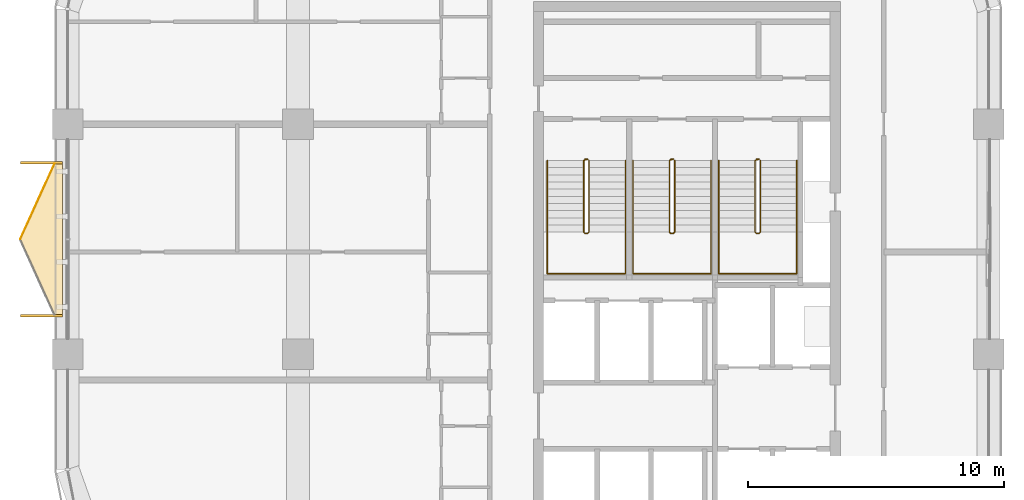
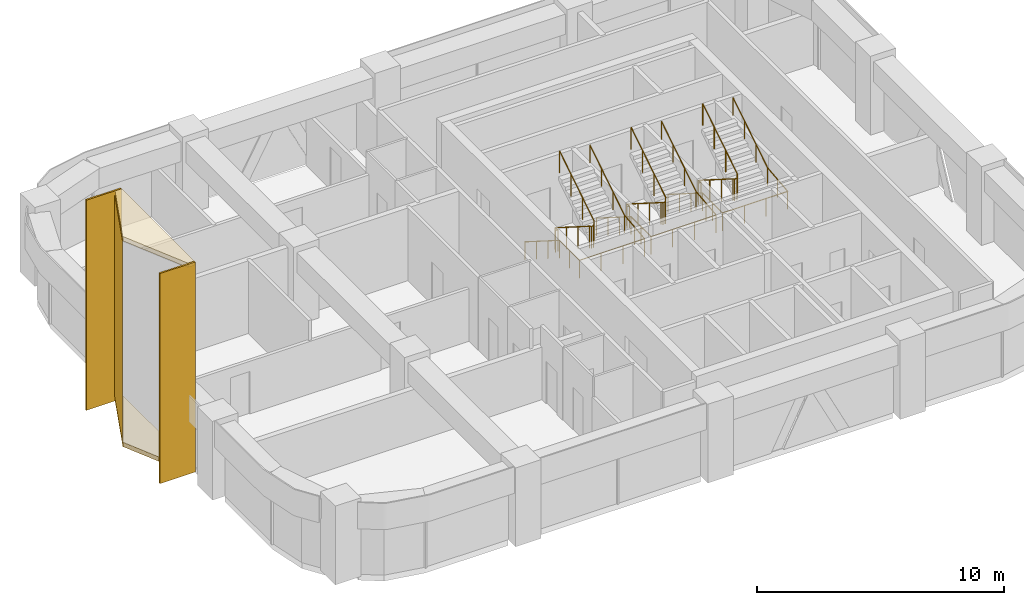
# One storey, part 10 of 10: 6 railings, 5 coverings.
"""IFC4 building model written with IfcOpenShell, lengths in metres."""

from ifc_helpers import new_model, si_unit, direction, frame, origin, origin_2d, place, context, subcontext, project, spatial, polyline, rectangle, circle, outline, extrude, material, layer, layer_set, type_object, element, save


model = new_model("IFC4")

# Units and contexts
model_context = context("Model", 3, precision=1e-05, world=origin(), true_north=direction((0.0, 1.0)))
body_context = subcontext(model_context, "Body", "Model", "MODEL_VIEW")
ifc_project = project(units=[si_unit("LENGTHUNIT", "METRE"), si_unit("AREAUNIT", "SQUARE_METRE"), si_unit("VOLUMEUNIT", "CUBIC_METRE"), si_unit("PLANEANGLEUNIT", "RADIAN"), si_unit("MASSUNIT", "GRAM", prefix="KILO")], contexts=[model_context])

# Site, building, storey
site_placement = place(None, origin())
site = spatial("IfcSite", under=ifc_project, at=site_placement, CompositionType="ELEMENT")
building_placement = place(site_placement, origin())
building = spatial("IfcBuilding", under=site, at=building_placement, Name="Tessera Arch", CompositionType="ELEMENT")
storey_placement = place(building_placement, frame((0.0, 0.0, 238.39990234375)))
storey = spatial("IfcBuildingStorey", under=building, at=storey_placement, Name="L57", CompositionType="ELEMENT", Elevation=238.39990234375)

# Railings
ifc_material_1 = material(Name="Painted steel balustrade", Category="steel")
railing_type_1 = type_object("IfcRailingType", Name="Stair guard 1100", PredefinedType="GUARDRAIL", material=ifc_material_1)
railing_1_placement = place(storey_placement, frame((38.219970703125, 43.6298828125, 0.0)))
element("IfcRailing", 1, at=railing_1_placement, inside=storey, type_object=railing_type_1, Name="L57 S1a stair guard 1", PredefinedType="GUARDRAIL", context=body_context, shape_type="SweptSolid", body=[
    extrude(circle(Radius=0.02392578125, at=origin_2d()), frame((-0.00390625, 0.0, 1.076171875), z_axis=(1.0, 0.0, 0.0), x_axis=(0.0, 1.0, 0.0)), (0.0, 0.0, 1.0), 0.1181640625),
    extrude(circle(Radius=0.02392578125, at=origin_2d()), frame((0.11279296875, 0.000732421875, 1.0732421875), z_axis=(-0.655842288892, -0.203950955692, 0.72682521955), x_axis=(0.296948579431, -0.954893471113, 0.0)), (0.0, 0.0, 1.0), 0.252197265625),
    extrude(circle(Radius=0.02392578125, at=origin_2d()), frame((-0.050048828125, -0.04638671875, 1.25146484375), z_axis=(0.0, -0.844908973607, 0.534910110503), x_axis=(1.0, 0.0, 0.0)), (0.0, 0.0, 1.0), 3.322021484375),
    extrude(circle(Radius=0.02392578125, at=origin_2d()), frame((-0.052978515625, -2.846923828125, 3.0263671875), z_axis=(0.707106781187, -0.707106781187, 0.0), x_axis=(0.707106781187, 0.707106781187, 0.0)), (0.0, 0.0, 1.0), 0.078857421875),
    extrude(circle(Radius=0.02392578125, at=origin_2d()), frame((-0.00390625, -2.89990234375, 3.0263671875), z_axis=(1.0, 0.0, 0.0), x_axis=(0.0, 1.0, 0.0)), (0.0, 0.0, 1.0), 0.1181640625),
    extrude(circle(Radius=0.02392578125, at=origin_2d()), frame((0.109130859375, -2.90087890625, 3.0224609375), z_axis=(0.261041864531, 0.262321481514, 0.929001929653), x_axis=(-0.708833529934, 0.705375805398, 0.0)), (0.0, 0.0, 1.0), 0.19873046875),
    extrude(circle(Radius=0.02392578125, at=origin_2d()), frame((0.159912109375, -2.853271484375, 3.201416015625), z_axis=(0.0, 0.844908973607, 0.534910110503), x_axis=(-1.0, 0.0, 0.0)), (0.0, 0.0, 1.0), 3.322021484375),
    extrude(circle(Radius=0.02099609375, at=origin_2d()), origin(), (0.0, 0.0, 1.0), 1.06396484375),
    extrude(circle(Radius=0.02099609375, at=origin_2d()), frame((0.110107421875, 0.0, 0.0)), (0.0, 0.0, 1.0), 1.06396484375),
    extrude(circle(Radius=0.02099609375, at=origin_2d()), frame((-0.050048828125, -0.0498046875, 0.177490234375)), (0.0, 0.0, 1.0), 1.06396484375),
    extrude(circle(Radius=0.02099609375, at=origin_2d()), frame((-0.050048828125, -0.983154296875, 0.768310546875)), (0.0, 0.0, 1.0), 1.06396484375),
    extrude(circle(Radius=0.02099609375, at=origin_2d()), frame((-0.050048828125, -1.91650390625, 1.359375)), (0.0, 0.0, 1.0), 1.06396484375),
    extrude(circle(Radius=0.02099609375, at=origin_2d()), frame((-0.050048828125, -2.849853515625, 1.9501953125)), (0.0, 0.0, 1.0), 1.06396484375),
    extrude(circle(Radius=0.02099609375, at=origin_2d()), frame((0.0, -2.89990234375, 1.9501953125)), (0.0, 0.0, 1.0), 1.06396484375),
    extrude(circle(Radius=0.02099609375, at=origin_2d()), frame((0.110107421875, -2.89990234375, 1.9501953125)), (0.0, 0.0, 1.0), 1.06396484375),
    extrude(circle(Radius=0.02099609375, at=origin_2d()), frame((0.159912109375, -2.849853515625, 2.12744140625)), (0.0, 0.0, 1.0), 1.06396484375),
    extrude(circle(Radius=0.02099609375, at=origin_2d()), frame((0.159912109375, -1.91650390625, 2.71826171875)), (0.0, 0.0, 1.0), 1.06396484375),
    extrude(circle(Radius=0.02099609375, at=origin_2d()), frame((0.159912109375, -0.983154296875, 3.309326171875)), (0.0, 0.0, 1.0), 1.06396484375),
    extrude(circle(Radius=0.02099609375, at=origin_2d()), frame((0.159912109375, -0.0498046875, 3.900146484375)), (0.0, 0.0, 1.0), 1.06396484375),
])
railing_2_placement = place(storey_placement, frame((41.570068359375, 43.6298828125, 0.0)))
element("IfcRailing", 2, at=railing_2_placement, inside=storey, type_object=railing_type_1, Name="L57 S1b stair guard 1", PredefinedType="GUARDRAIL", context=body_context, shape_type="SweptSolid", body=[
    extrude(circle(Radius=0.02392578125, at=origin_2d()), frame((-0.00390625, 0.0, 1.076171875), z_axis=(1.0, 0.0, 0.0), x_axis=(0.0, 1.0, 0.0)), (0.0, 0.0, 1.0), 0.117919921875),
    extrude(circle(Radius=0.02392578125, at=origin_2d()), frame((0.112548828125, 0.000732421875, 1.0732421875), z_axis=(-0.655271994328, -0.204084712737, 0.727301892941), x_axis=(0.297361876254, -0.954764847777, 0.0)), (0.0, 0.0, 1.0), 0.251953125),
    extrude(circle(Radius=0.02392578125, at=origin_2d()), frame((-0.050048828125, -0.04638671875, 1.25146484375), z_axis=(0.0, -0.844908973607, 0.534910110503), x_axis=(1.0, 0.0, 0.0)), (0.0, 0.0, 1.0), 3.322021484375),
    extrude(circle(Radius=0.02392578125, at=origin_2d()), frame((-0.052978515625, -2.846923828125, 3.0263671875), z_axis=(0.707106781187, -0.707106781187, 0.0), x_axis=(0.707106781187, 0.707106781187, 0.0)), (0.0, 0.0, 1.0), 0.078857421875),
    extrude(circle(Radius=0.02392578125, at=origin_2d()), frame((-0.00390625, -2.89990234375, 3.0263671875), z_axis=(1.0, 0.0, 0.0), x_axis=(0.0, 1.0, 0.0)), (0.0, 0.0, 1.0), 0.117919921875),
    extrude(circle(Radius=0.02392578125, at=origin_2d()), frame((0.10888671875, -2.90087890625, 3.0224609375), z_axis=(0.262233686654, 0.262233686654, 0.928691007369), x_axis=(-0.707106781187, 0.707106781187, 0.0)), (0.0, 0.0, 1.0), 0.198974609375),
    extrude(circle(Radius=0.02392578125, at=origin_2d()), frame((0.159912109375, -2.853271484375, 3.201416015625), z_axis=(0.0, 0.844908973607, 0.534910110503), x_axis=(-1.0, 0.0, 0.0)), (0.0, 0.0, 1.0), 3.322021484375),
    extrude(circle(Radius=0.02099609375, at=origin_2d()), origin(), (0.0, 0.0, 1.0), 1.06396484375),
    extrude(circle(Radius=0.02099609375, at=origin_2d()), frame((0.10986328125, 0.0, 0.0)), (0.0, 0.0, 1.0), 1.06396484375),
    extrude(circle(Radius=0.02099609375, at=origin_2d()), frame((-0.050048828125, -0.0498046875, 0.177490234375)), (0.0, 0.0, 1.0), 1.06396484375),
    extrude(circle(Radius=0.02099609375, at=origin_2d()), frame((-0.050048828125, -0.983154296875, 0.768310546875)), (0.0, 0.0, 1.0), 1.06396484375),
    extrude(circle(Radius=0.02099609375, at=origin_2d()), frame((-0.050048828125, -1.91650390625, 1.359375)), (0.0, 0.0, 1.0), 1.06396484375),
    extrude(circle(Radius=0.02099609375, at=origin_2d()), frame((-0.050048828125, -2.849853515625, 1.9501953125)), (0.0, 0.0, 1.0), 1.06396484375),
    extrude(circle(Radius=0.02099609375, at=origin_2d()), frame((0.0, -2.89990234375, 1.9501953125)), (0.0, 0.0, 1.0), 1.06396484375),
    extrude(circle(Radius=0.02099609375, at=origin_2d()), frame((0.10986328125, -2.89990234375, 1.9501953125)), (0.0, 0.0, 1.0), 1.06396484375),
    extrude(circle(Radius=0.02099609375, at=origin_2d()), frame((0.159912109375, -2.849853515625, 2.12744140625)), (0.0, 0.0, 1.0), 1.06396484375),
    extrude(circle(Radius=0.02099609375, at=origin_2d()), frame((0.159912109375, -1.91650390625, 2.71826171875)), (0.0, 0.0, 1.0), 1.06396484375),
    extrude(circle(Radius=0.02099609375, at=origin_2d()), frame((0.159912109375, -0.983154296875, 3.309326171875)), (0.0, 0.0, 1.0), 1.06396484375),
    extrude(circle(Radius=0.02099609375, at=origin_2d()), frame((0.159912109375, -0.0498046875, 3.900146484375)), (0.0, 0.0, 1.0), 1.06396484375),
])
railing_3_placement = place(storey_placement, frame((44.919921875, 43.6298828125, 0.0)))
element("IfcRailing", 3, at=railing_3_placement, inside=storey, type_object=railing_type_1, Name="L57 S1c stair guard 1", PredefinedType="GUARDRAIL", context=body_context, shape_type="SweptSolid", body=[
    extrude(circle(Radius=0.02392578125, at=origin_2d()), frame((-0.00390625, 0.0, 1.076171875), z_axis=(1.0, 0.0, 0.0), x_axis=(0.0, 1.0, 0.0)), (0.0, 0.0, 1.0), 0.1181640625),
    extrude(circle(Radius=0.02392578125, at=origin_2d()), frame((0.11279296875, 0.000732421875, 1.0732421875), z_axis=(-0.655271994328, -0.204084712737, 0.727301892941), x_axis=(0.297361876254, -0.954764847777, 0.0)), (0.0, 0.0, 1.0), 0.251953125),
    extrude(circle(Radius=0.02392578125, at=origin_2d()), frame((-0.0498046875, -0.04638671875, 1.25146484375), z_axis=(0.0, -0.844908973607, 0.534910110503), x_axis=(1.0, 0.0, 0.0)), (0.0, 0.0, 1.0), 3.322021484375),
    extrude(circle(Radius=0.02392578125, at=origin_2d()), frame((-0.052734375, -2.846923828125, 3.0263671875), z_axis=(0.705375805398, -0.708833529934, 0.0), x_axis=(0.708833529934, 0.705375805398, 0.0)), (0.0, 0.0, 1.0), 0.07861328125),
    extrude(circle(Radius=0.02392578125, at=origin_2d()), frame((-0.00390625, -2.89990234375, 3.0263671875), z_axis=(1.0, 0.0, 0.0), x_axis=(0.0, 1.0, 0.0)), (0.0, 0.0, 1.0), 0.1181640625),
    extrude(circle(Radius=0.02392578125, at=origin_2d()), frame((0.109130859375, -2.90087890625, 3.0224609375), z_axis=(0.262233686654, 0.262233686654, 0.928691007369), x_axis=(-0.707106781187, 0.707106781187, 0.0)), (0.0, 0.0, 1.0), 0.198974609375),
    extrude(circle(Radius=0.02392578125, at=origin_2d()), frame((0.16015625, -2.853271484375, 3.201416015625), z_axis=(0.0, 0.844908973607, 0.534910110503), x_axis=(-1.0, 0.0, 0.0)), (0.0, 0.0, 1.0), 3.322021484375),
    extrude(circle(Radius=0.02099609375, at=origin_2d()), origin(), (0.0, 0.0, 1.0), 1.06396484375),
    extrude(circle(Radius=0.02099609375, at=origin_2d()), frame((0.110107421875, 0.0, 0.0)), (0.0, 0.0, 1.0), 1.06396484375),
    extrude(circle(Radius=0.02099609375, at=origin_2d()), frame((-0.0498046875, -0.0498046875, 0.177490234375)), (0.0, 0.0, 1.0), 1.06396484375),
    extrude(circle(Radius=0.02099609375, at=origin_2d()), frame((-0.0498046875, -0.983154296875, 0.768310546875)), (0.0, 0.0, 1.0), 1.06396484375),
    extrude(circle(Radius=0.02099609375, at=origin_2d()), frame((-0.0498046875, -1.91650390625, 1.359375)), (0.0, 0.0, 1.0), 1.06396484375),
    extrude(circle(Radius=0.02099609375, at=origin_2d()), frame((-0.0498046875, -2.849853515625, 1.9501953125)), (0.0, 0.0, 1.0), 1.06396484375),
    extrude(circle(Radius=0.02099609375, at=origin_2d()), frame((0.0, -2.89990234375, 1.9501953125)), (0.0, 0.0, 1.0), 1.06396484375),
    extrude(circle(Radius=0.02099609375, at=origin_2d()), frame((0.110107421875, -2.89990234375, 1.9501953125)), (0.0, 0.0, 1.0), 1.06396484375),
    extrude(circle(Radius=0.02099609375, at=origin_2d()), frame((0.16015625, -2.849853515625, 2.12744140625)), (0.0, 0.0, 1.0), 1.06396484375),
    extrude(circle(Radius=0.02099609375, at=origin_2d()), frame((0.16015625, -1.91650390625, 2.71826171875)), (0.0, 0.0, 1.0), 1.06396484375),
    extrude(circle(Radius=0.02099609375, at=origin_2d()), frame((0.16015625, -0.983154296875, 3.309326171875)), (0.0, 0.0, 1.0), 1.06396484375),
    extrude(circle(Radius=0.02099609375, at=origin_2d()), frame((0.16015625, -0.0498046875, 3.900146484375)), (0.0, 0.0, 1.0), 1.06396484375),
])
ifc_material_2 = material(Name="Painted steel handrail", Category="steel")
railing_type_2 = type_object("IfcRailingType", Name="Stair handrail 900", PredefinedType="HANDRAIL", material=ifc_material_2)
railing_4_placement = place(storey_placement, frame((36.75, 43.580078125, 0.177490234375)))
element("IfcRailing", 4, at=railing_4_placement, inside=storey, type_object=railing_type_2, Name="L57 S1a stair handrail", PredefinedType="HANDRAIL", context=body_context, shape_type="SweptSolid", body=[
    extrude(circle(Radius=0.02392578125, at=origin_2d()), frame((0.0, 0.00341796875, 0.873779296875), z_axis=(0.0, -0.844908973607, 0.534910110503), x_axis=(1.0, 0.0, 0.0)), (0.0, 0.0, 1.0), 3.322021484375),
    extrude(circle(Radius=0.02392578125, at=origin_2d()), frame((0.0, -2.796142578125, 2.6484375), z_axis=(0.0, -1.0, 0.0), x_axis=(1.0, 0.0, 0.0)), (0.0, 0.0, 1.0), 1.63818359375),
    extrude(circle(Radius=0.02392578125, at=origin_2d()), frame((-0.00390625, -4.43017578125, 2.6484375), z_axis=(1.0, 0.0, 0.0), x_axis=(0.0, 1.0, 0.0)), (0.0, 0.0, 1.0), 3.05810546875),
    extrude(circle(Radius=0.02392578125, at=origin_2d()), frame((3.050048828125, -4.43408203125, 2.648193359375), z_axis=(0.0, 0.994140637614, 0.108094369164), x_axis=(-1.0, 0.0, 0.0)), (0.0, 0.0, 1.0), 1.647705078125),
    extrude(circle(Radius=0.02392578125, at=origin_2d()), frame((3.050048828125, -2.803466796875, 2.82373046875), z_axis=(0.0, 0.844908973607, 0.534910110503), x_axis=(-1.0, 0.0, 0.0)), (0.0, 0.0, 1.0), 3.322021484375),
    extrude(circle(Radius=0.02099609375, at=origin_2d()), origin(), (0.0, 0.0, 1.0), 0.86376953125),
    extrude(circle(Radius=0.02099609375, at=origin_2d()), frame((0.0, -0.933349609375, 0.5908203125)), (0.0, 0.0, 1.0), 0.86376953125),
    extrude(circle(Radius=0.02099609375, at=origin_2d()), frame((0.0, -1.86669921875, 1.181884765625)), (0.0, 0.0, 1.0), 0.86376953125),
    extrude(circle(Radius=0.02099609375, at=origin_2d()), frame((0.0, -2.800048828125, 1.772705078125)), (0.0, 0.0, 1.0), 0.86376953125),
    extrude(circle(Radius=0.02099609375, at=origin_2d()), frame((0.0, -3.615234375, 1.772705078125)), (0.0, 0.0, 1.0), 0.86376953125),
    extrude(circle(Radius=0.02099609375, at=origin_2d()), frame((0.0, -4.43017578125, 1.772705078125)), (0.0, 0.0, 1.0), 0.86376953125),
    extrude(circle(Radius=0.02099609375, at=origin_2d()), frame((1.0166015625, -4.43017578125, 1.772705078125)), (0.0, 0.0, 1.0), 0.86376953125),
    extrude(circle(Radius=0.02099609375, at=origin_2d()), frame((2.033447265625, -4.43017578125, 1.772705078125)), (0.0, 0.0, 1.0), 0.86376953125),
    extrude(circle(Radius=0.02099609375, at=origin_2d()), frame((3.050048828125, -4.43017578125, 1.772705078125)), (0.0, 0.0, 1.0), 0.86376953125),
    extrude(circle(Radius=0.02099609375, at=origin_2d()), frame((3.050048828125, -3.615234375, 1.861328125)), (0.0, 0.0, 1.0), 0.86376953125),
    extrude(circle(Radius=0.02099609375, at=origin_2d()), frame((3.050048828125, -2.800048828125, 1.949951171875)), (0.0, 0.0, 1.0), 0.86376953125),
    extrude(circle(Radius=0.02099609375, at=origin_2d()), frame((3.050048828125, -1.86669921875, 2.540771484375)), (0.0, 0.0, 1.0), 0.86376953125),
    extrude(circle(Radius=0.02099609375, at=origin_2d()), frame((3.050048828125, -0.933349609375, 3.1318359375)), (0.0, 0.0, 1.0), 0.86376953125),
    extrude(circle(Radius=0.02099609375, at=origin_2d()), frame((3.050048828125, 0.0, 3.72265625)), (0.0, 0.0, 1.0), 0.86376953125),
])
railing_5_placement = place(storey_placement, frame((40.10009765625, 43.580078125, 0.177490234375)))
element("IfcRailing", 5, at=railing_5_placement, inside=storey, type_object=railing_type_2, Name="L57 S1b stair handrail", PredefinedType="HANDRAIL", context=body_context, shape_type="SweptSolid", body=[
    extrude(circle(Radius=0.02392578125, at=origin_2d()), frame((0.0, 0.00341796875, 0.873779296875), z_axis=(0.0, -0.844908973607, 0.534910110503), x_axis=(1.0, 0.0, 0.0)), (0.0, 0.0, 1.0), 3.322021484375),
    extrude(circle(Radius=0.02392578125, at=origin_2d()), frame((0.0, -2.796142578125, 2.6484375), z_axis=(0.0, -1.0, 0.0), x_axis=(1.0, 0.0, 0.0)), (0.0, 0.0, 1.0), 1.63818359375),
    extrude(circle(Radius=0.02392578125, at=origin_2d()), frame((-0.00390625, -4.43017578125, 2.6484375), z_axis=(1.0, 0.0, 0.0), x_axis=(0.0, 1.0, 0.0)), (0.0, 0.0, 1.0), 3.057861328125),
    extrude(circle(Radius=0.02392578125, at=origin_2d()), frame((3.0498046875, -4.43408203125, 2.648193359375), z_axis=(0.0, 0.994140637614, 0.108094369164), x_axis=(-1.0, 0.0, 0.0)), (0.0, 0.0, 1.0), 1.647705078125),
    extrude(circle(Radius=0.02392578125, at=origin_2d()), frame((3.0498046875, -2.803466796875, 2.82373046875), z_axis=(0.0, 0.844908973607, 0.534910110503), x_axis=(-1.0, 0.0, 0.0)), (0.0, 0.0, 1.0), 3.322021484375),
    extrude(circle(Radius=0.02099609375, at=origin_2d()), origin(), (0.0, 0.0, 1.0), 0.86376953125),
    extrude(circle(Radius=0.02099609375, at=origin_2d()), frame((0.0, -0.933349609375, 0.5908203125)), (0.0, 0.0, 1.0), 0.86376953125),
    extrude(circle(Radius=0.02099609375, at=origin_2d()), frame((0.0, -1.86669921875, 1.181884765625)), (0.0, 0.0, 1.0), 0.86376953125),
    extrude(circle(Radius=0.02099609375, at=origin_2d()), frame((0.0, -2.800048828125, 1.772705078125)), (0.0, 0.0, 1.0), 0.86376953125),
    extrude(circle(Radius=0.02099609375, at=origin_2d()), frame((0.0, -3.615234375, 1.772705078125)), (0.0, 0.0, 1.0), 0.86376953125),
    extrude(circle(Radius=0.02099609375, at=origin_2d()), frame((0.0, -4.43017578125, 1.772705078125)), (0.0, 0.0, 1.0), 0.86376953125),
    extrude(circle(Radius=0.02099609375, at=origin_2d()), frame((1.0166015625, -4.43017578125, 1.772705078125)), (0.0, 0.0, 1.0), 0.86376953125),
    extrude(circle(Radius=0.02099609375, at=origin_2d()), frame((2.033203125, -4.43017578125, 1.772705078125)), (0.0, 0.0, 1.0), 0.86376953125),
    extrude(circle(Radius=0.02099609375, at=origin_2d()), frame((3.0498046875, -4.43017578125, 1.772705078125)), (0.0, 0.0, 1.0), 0.86376953125),
    extrude(circle(Radius=0.02099609375, at=origin_2d()), frame((3.0498046875, -3.615234375, 1.861328125)), (0.0, 0.0, 1.0), 0.86376953125),
    extrude(circle(Radius=0.02099609375, at=origin_2d()), frame((3.0498046875, -2.800048828125, 1.949951171875)), (0.0, 0.0, 1.0), 0.86376953125),
    extrude(circle(Radius=0.02099609375, at=origin_2d()), frame((3.0498046875, -1.86669921875, 2.540771484375)), (0.0, 0.0, 1.0), 0.86376953125),
    extrude(circle(Radius=0.02099609375, at=origin_2d()), frame((3.0498046875, -0.933349609375, 3.1318359375)), (0.0, 0.0, 1.0), 0.86376953125),
    extrude(circle(Radius=0.02099609375, at=origin_2d()), frame((3.0498046875, 0.0, 3.72265625)), (0.0, 0.0, 1.0), 0.86376953125),
])
railing_6_placement = place(storey_placement, frame((43.449951171875, 43.580078125, 0.177490234375)))
element("IfcRailing", 6, at=railing_6_placement, inside=storey, type_object=railing_type_2, Name="L57 S1c stair handrail", PredefinedType="HANDRAIL", context=body_context, shape_type="SweptSolid", body=[
    extrude(circle(Radius=0.02392578125, at=origin_2d()), frame((0.0, 0.00341796875, 0.873779296875), z_axis=(0.0, -0.844908973607, 0.534910110503), x_axis=(1.0, 0.0, 0.0)), (0.0, 0.0, 1.0), 3.322021484375),
    extrude(circle(Radius=0.02392578125, at=origin_2d()), frame((0.0, -2.796142578125, 2.6484375), z_axis=(0.0, -1.0, 0.0), x_axis=(1.0, 0.0, 0.0)), (0.0, 0.0, 1.0), 1.63818359375),
    extrude(circle(Radius=0.02392578125, at=origin_2d()), frame((-0.00390625, -4.43017578125, 2.6484375), z_axis=(1.0, 0.0, 0.0), x_axis=(0.0, 1.0, 0.0)), (0.0, 0.0, 1.0), 3.05810546875),
    extrude(circle(Radius=0.02392578125, at=origin_2d()), frame((3.050048828125, -4.43408203125, 2.648193359375), z_axis=(0.0, 0.994140637614, 0.108094369164), x_axis=(-1.0, 0.0, 0.0)), (0.0, 0.0, 1.0), 1.647705078125),
    extrude(circle(Radius=0.02392578125, at=origin_2d()), frame((3.050048828125, -2.803466796875, 2.82373046875), z_axis=(0.0, 0.844908973607, 0.534910110503), x_axis=(-1.0, 0.0, 0.0)), (0.0, 0.0, 1.0), 3.322021484375),
    extrude(circle(Radius=0.02099609375, at=origin_2d()), origin(), (0.0, 0.0, 1.0), 0.86376953125),
    extrude(circle(Radius=0.02099609375, at=origin_2d()), frame((0.0, -0.933349609375, 0.5908203125)), (0.0, 0.0, 1.0), 0.86376953125),
    extrude(circle(Radius=0.02099609375, at=origin_2d()), frame((0.0, -1.86669921875, 1.181884765625)), (0.0, 0.0, 1.0), 0.86376953125),
    extrude(circle(Radius=0.02099609375, at=origin_2d()), frame((0.0, -2.800048828125, 1.772705078125)), (0.0, 0.0, 1.0), 0.86376953125),
    extrude(circle(Radius=0.02099609375, at=origin_2d()), frame((0.0, -3.615234375, 1.772705078125)), (0.0, 0.0, 1.0), 0.86376953125),
    extrude(circle(Radius=0.02099609375, at=origin_2d()), frame((0.0, -4.43017578125, 1.772705078125)), (0.0, 0.0, 1.0), 0.86376953125),
    extrude(circle(Radius=0.02099609375, at=origin_2d()), frame((1.0166015625, -4.43017578125, 1.772705078125)), (0.0, 0.0, 1.0), 0.86376953125),
    extrude(circle(Radius=0.02099609375, at=origin_2d()), frame((2.033447265625, -4.43017578125, 1.772705078125)), (0.0, 0.0, 1.0), 0.86376953125),
    extrude(circle(Radius=0.02099609375, at=origin_2d()), frame((3.050048828125, -4.43017578125, 1.772705078125)), (0.0, 0.0, 1.0), 0.86376953125),
    extrude(circle(Radius=0.02099609375, at=origin_2d()), frame((3.050048828125, -3.615234375, 1.861328125)), (0.0, 0.0, 1.0), 0.86376953125),
    extrude(circle(Radius=0.02099609375, at=origin_2d()), frame((3.050048828125, -2.800048828125, 1.949951171875)), (0.0, 0.0, 1.0), 0.86376953125),
    extrude(circle(Radius=0.02099609375, at=origin_2d()), frame((3.050048828125, -1.86669921875, 2.540771484375)), (0.0, 0.0, 1.0), 0.86376953125),
    extrude(circle(Radius=0.02099609375, at=origin_2d()), frame((3.050048828125, -0.933349609375, 3.1318359375)), (0.0, 0.0, 1.0), 0.86376953125),
    extrude(circle(Radius=0.02099609375, at=origin_2d()), frame((3.050048828125, 0.0, 3.72265625)), (0.0, 0.0, 1.0), 0.86376953125),
])

# Coverings
ifc_material_3 = material(Name="Anodised aluminium pale metal", Category="aluminium")
ifc_layer_1 = layer(ifc_material_3, 0.080078125)
ifc_layer_set_1 = layer_set([ifc_layer_1], Name="Window box cheek")
covering_type_1 = type_object("IfcCoveringType", Name="Window box cheek", PredefinedType="CLADDING", material=ifc_layer_set_1)
covering_1_placement = place(storey_placement, origin())
element("IfcCovering", 7, at=covering_1_placement, inside=storey, type_object=covering_type_1, Name="Window box W18.27/1.0 2x3 cheek", PredefinedType="CLADDING", context=body_context, shape_type="SweptSolid", body=[
    extrude(outline(polyline([(16.14990234375, 43.530029296875), (16.14990234375, 43.449951171875), (17.800048828125, 43.449951171875), (17.800048828125, 43.530029296875), (16.14990234375, 43.530029296875)])), origin(), (0.0, 0.0, 1.0), 10.400146484375),
])
covering_2_placement = place(storey_placement, origin())
element("IfcCovering", 8, at=covering_2_placement, inside=storey, type_object=covering_type_1, Name="Window box W18.27/1.0 2x3 cheek", PredefinedType="CLADDING", context=body_context, shape_type="SweptSolid", body=[
    extrude(outline(polyline([(16.14990234375, 37.550048828125), (16.14990234375, 37.469970703125), (17.800048828125, 37.469970703125), (17.800048828125, 37.550048828125), (16.14990234375, 37.550048828125)])), origin(), (0.0, 0.0, 1.0), 10.400146484375),
])
ifc_material_4 = material(Name="Anodised aluminium pale metal", Category="aluminium")
ifc_layer_2 = layer(ifc_material_4, 0.219970703125)
ifc_layer_set_2 = layer_set([ifc_layer_2], Name="Window box frame plate pale metal")
covering_type_2 = type_object("IfcCoveringType", Name="Window box frame plate pale metal", PredefinedType="CLADDING", material=ifc_layer_set_2)
covering_3_placement = place(storey_placement, origin())
element("IfcCovering", 9, at=covering_3_placement, inside=storey, type_object=covering_type_2, Name="Window box W18.27/1.0 2x3 floor", PredefinedType="CLADDING", context=body_context, shape_type="SweptSolid", body=[
    extrude(outline(polyline([(17.489990234375, 43.449951171875), (16.14990234375, 40.5), (17.489990234375, 37.550048828125), (17.800048828125, 37.550048828125), (17.800048828125, 43.449951171875), (17.489990234375, 43.449951171875)])), origin(), (0.0, 0.0, 1.0), 0.22021484375),
])
covering_4_placement = place(storey_placement, frame((0.0, 0.0, 10.18017578125)))
element("IfcCovering", 10, at=covering_4_placement, inside=storey, type_object=covering_type_2, Name="Window box W18.27/1.0 2x3 roof", PredefinedType="CLADDING", context=body_context, shape_type="SweptSolid", body=[
    extrude(outline(polyline([(17.489990234375, 43.449951171875), (16.14990234375, 40.5), (17.489990234375, 37.550048828125), (17.800048828125, 37.550048828125), (17.800048828125, 43.449951171875), (17.489990234375, 43.449951171875)])), origin(), (0.0, 0.0, 1.0), 0.219970703125),
])
ifc_material_5 = material(Name="Anodised aluminium pale metal", Category="aluminium")
ifc_layer_3 = layer(ifc_material_5, 0.028076171875)
ifc_layer_set_3 = layer_set([ifc_layer_3], Name="Window box side panel")
covering_type_3 = type_object("IfcCoveringType", Name="Window box side panel", PredefinedType="CLADDING", material=ifc_layer_set_3)
covering_5_placement = place(storey_placement, frame((16.820068359375, 41.97509765625, 0.22021484375), z_axis=(0.0, 0.0, 1.0), x_axis=(-0.413570397858, -0.910472144558, 0.0)))
element("IfcCovering", 11, at=covering_5_placement, inside=storey, type_object=covering_type_3, Name="Window box W18.27/1.0 2x3 side panel", PredefinedType="CLADDING", context=body_context, shape_type="SweptSolid", body=[
    extrude(rectangle(XDim=3.239990234375, YDim=0.028076171875, at=origin_2d()), origin(), (0.0, 0.0, 1.0), 9.9599609375),
])

save(model, "model.ifc")
